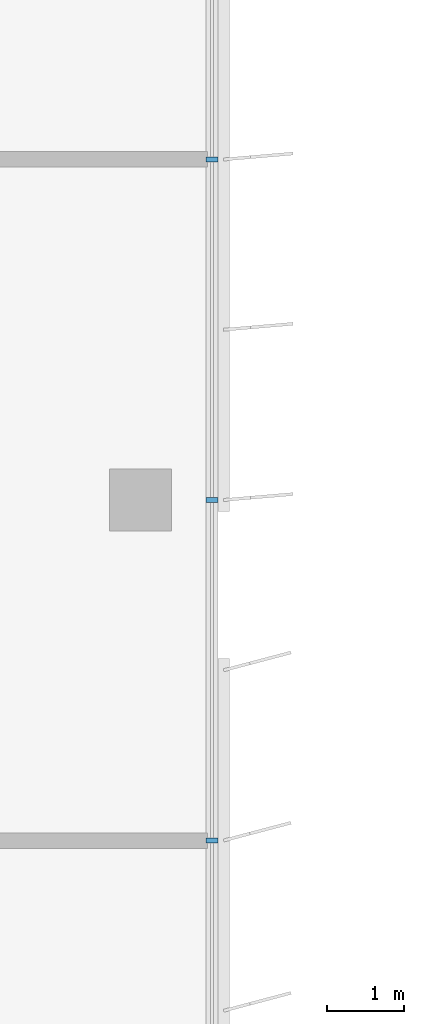
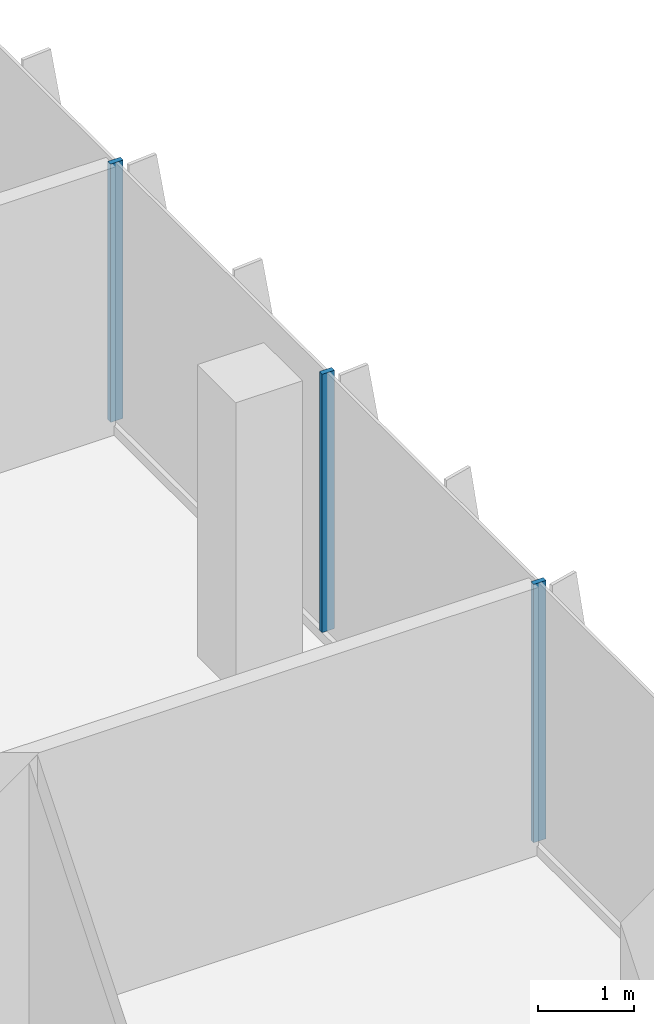
# One storey, part 4 of 15: 3 members, 1 element without a shape of its own.
"""IFC4 building model written with IfcOpenShell, lengths in metres."""

import ifcopenshell
import ifcopenshell.guid

model = None  # the IFC model being written
_history = None  # IfcOwnerHistory: only IFC2X3 demands one
_inside = {}  # id of a spatial element -> (the spatial element, [elements in it])
_under = {}  # id of a project, library or spatial element -> (it, [spatial elements below it])
_declared = {}  # id of a project -> (the project, [libraries it declares])
_typed = {}  # id of a type object -> (the type object, [elements of that type])
_made_of = {}  # id of a material, layer set ... -> (it, [elements and type objects made of it])


def new_model(schema):
    """Start an empty IFC model of exactly this schema.

    Asked for "IFC4X3", IfcOpenShell would pick the latest addendum, in which some entities
    have other attributes; the version numbers below select the first issue.
    IFC2X3 requires an IfcOwnerHistory on every rooted entity: one is made here for all.
    """
    global model, _history
    if schema == "IFC4X3":
        model = ifcopenshell.file(schema_version=(4, 3, 0, 0))
    else:
        model = ifcopenshell.file(schema=schema)
    _inside.clear()
    _under.clear()
    _declared.clear()
    _typed.clear()
    _made_of.clear()
    _history = None
    if model.schema == "IFC2X3":
        org = make("IfcOrganization", Name="unknown")
        user = make(
            "IfcPersonAndOrganization",
            ThePerson=make("IfcPerson", FamilyName="unknown"),
            TheOrganization=org,
        )
        app = make(
            "IfcApplication",
            ApplicationDeveloper=org,
            Version="unknown",
            ApplicationFullName="unknown",
            ApplicationIdentifier="unknown",
        )
        _history = make(
            "IfcOwnerHistory",
            OwningUser=user,
            OwningApplication=app,
            ChangeAction="ADDED",
            CreationDate=0,
        )
    return model


def make(cls, **values):
    """One entity of the class cls with the attributes given. An attribute that is None is left unset."""
    return model.create_entity(
        cls, **{name: value for name, value in values.items() if value is not None}
    )


def rooted(cls, **values):
    """An entity with a GlobalId (a new one), such as an element, a storey or a relation."""
    return make(cls, GlobalId=ifcopenshell.guid.new(), OwnerHistory=_history, **values)


def si_unit(unit_type, name, prefix=None):
    """IfcSIUnit, for example si_unit("LENGTHUNIT", "METRE", prefix="MILLI")."""
    return make("IfcSIUnit", UnitType=unit_type, Prefix=prefix, Name=name)


def assignment(units):
    """IfcUnitAssignment: the units of a project."""
    return None if units is None else make("IfcUnitAssignment", Units=units)


def point(xyz):
    """IfcCartesianPoint."""
    return None if xyz is None else make("IfcCartesianPoint", Coordinates=xyz)


def direction(xyz):
    """IfcDirection."""
    return None if xyz is None else make("IfcDirection", DirectionRatios=xyz)


def frame(location, z_axis=None, x_axis=None):
    """IfcAxis2Placement3D, a coordinate frame: its origin and axes. An axis left out is left unset."""
    return make(
        "IfcAxis2Placement3D",
        Location=point(location),
        Axis=direction(z_axis),
        RefDirection=direction(x_axis),
    )


def frame_2d(location, x_axis=None):
    """IfcAxis2Placement2D, a coordinate frame in the plane: its origin and x axis."""
    return make(
        "IfcAxis2Placement2D", Location=point(location), RefDirection=direction(x_axis)
    )


def origin():
    """The frame at (0, 0, 0) with its axes left unset."""
    return frame((0.0, 0.0, 0.0))


def origin_2d():
    """The frame at (0, 0) in the plane with its x axis left unset."""
    return frame_2d((0.0, 0.0))


def place(relative_to, where):
    """IfcLocalPlacement: puts the frame where relative to a parent placement (None: the world)."""
    return make(
        "IfcLocalPlacement", PlacementRelTo=relative_to, RelativePlacement=where
    )


def context(
    kind, dimensions, precision=None, world=None, true_north=None, identifier=None
):
    """IfcGeometricRepresentationContext, for example the 3D "Model" context."""
    return make(
        "IfcGeometricRepresentationContext",
        ContextIdentifier=identifier,
        ContextType=kind,
        CoordinateSpaceDimension=dimensions,
        Precision=precision,
        WorldCoordinateSystem=world,
        TrueNorth=true_north,
    )


def subcontext(parent, identifier, kind, view, scale=None):
    """IfcGeometricRepresentationSubContext, for example "Body" below "Model"."""
    return make(
        "IfcGeometricRepresentationSubContext",
        ContextIdentifier=identifier,
        ContextType=kind,
        ParentContext=parent,
        TargetScale=scale,
        TargetView=view,
    )


def project(units=None, contexts=None):
    """IfcProject with its units and contexts."""
    return rooted(
        "IfcProject",
        Name="project",
        RepresentationContexts=contexts,
        UnitsInContext=assignment(units),
    )


def spatial(cls, under=None, at=None, **own):
    """A site, building, storey or space (cls), placed at a placement, below another one or the project."""
    s = rooted(cls, ObjectPlacement=at, **own)
    if under is not None:
        _under.setdefault(under.id(), (under, []))[1].append(s)
    return s


def profile(cls, at=None, kind="AREA", **sizes):
    """A parametric profile (cls). Its sizes go by their IFC names, for example OverallWidth=200.0."""
    return make(cls, ProfileType=kind, Position=at, **sizes)


def rectangle(**sizes):
    """IfcRectangleProfileDef."""
    return profile("IfcRectangleProfileDef", **sizes)


def extrude(swept, where, along, depth):
    """IfcExtrudedAreaSolid: the profile swept, set in the frame where, extruded along a direction by depth."""
    return make(
        "IfcExtrudedAreaSolid",
        SweptArea=swept,
        Position=where,
        ExtrudedDirection=direction(along),
        Depth=depth,
    )


def shape(context_of_items, identifier, shape_type, items):
    """IfcShapeRepresentation: the items that make up one representation, for example the "Body"."""
    return make(
        "IfcShapeRepresentation",
        ContextOfItems=context_of_items,
        RepresentationIdentifier=identifier,
        RepresentationType=shape_type,
        Items=items,
    )


def source(mapping_origin, context_of_items, identifier, shape_type, items):
    """IfcRepresentationMap: a shape defined once, which mapped items show again and again."""
    return make(
        "IfcRepresentationMap",
        MappingOrigin=mapping_origin,
        MappedRepresentation=shape(context_of_items, identifier, shape_type, items),
    )


def transform(
    local_origin,
    x_axis=None,
    y_axis=None,
    z_axis=None,
    scale=None,
    scale2=None,
    scale3=None,
    uniform=True,
):
    """IfcCartesianTransformationOperator3D, or its non-uniform kind. x_axis, y_axis, z_axis: its Axis1, 2, 3."""
    if uniform:
        return make(
            "IfcCartesianTransformationOperator3D",
            Axis1=direction(x_axis),
            Axis2=direction(y_axis),
            LocalOrigin=point(local_origin),
            Scale=scale,
            Axis3=direction(z_axis),
        )
    return make(
        "IfcCartesianTransformationOperator3DnonUniform",
        Axis1=direction(x_axis),
        Axis2=direction(y_axis),
        LocalOrigin=point(local_origin),
        Scale=scale,
        Axis3=direction(z_axis),
        Scale2=scale2,
        Scale3=scale3,
    )


def mapped(mapping_source, mapping_target):
    """IfcMappedItem: shows the shape of a source again, moved by a transform."""
    return make(
        "IfcMappedItem", MappingSource=mapping_source, MappingTarget=mapping_target
    )


def material(Name=None, Category=None):
    """IfcMaterial."""
    return make("IfcMaterial", Name=Name, Category=Category)


def material_profile(
    of_material, cross_section, Name=None, Category=None, Priority=None
):
    """IfcMaterialProfile: a cross section and its material."""
    return make(
        "IfcMaterialProfile",
        Name=Name,
        Material=of_material,
        Profile=cross_section,
        Priority=Priority,
        Category=Category,
    )


def profile_set(profiles, Name=None, composite=None):
    """IfcMaterialProfileSet."""
    return make(
        "IfcMaterialProfileSet",
        Name=Name,
        MaterialProfiles=profiles,
        CompositeProfile=composite,
    )


def made_of(thing, what):
    """Note that an element or type object is made of a material, layer set ...; save() writes the relation."""
    if what is not None:
        _made_of.setdefault(what.id(), (what, []))[1].append(thing)
    return thing


def type_object(cls, material=None, **own):
    """A type object (cls), such as IfcWallType, which elements share."""
    return made_of(rooted(cls, **own), material)


def element(
    cls,
    number,
    at=None,
    inside=None,
    cuts=None,
    type_object=None,
    material=None,
    context=None,
    identifier="Body",
    shape_type=None,
    held_by="IfcProductDefinitionShape",
    body=None,
    shapes=None,
    **own,
):
    """One element of the class cls, such as IfcWall. Its Tag is "e" and its number.

    at: its placement. inside: the storey or other place that contains it. cuts: it is an
    opening in that element (IfcRelVoidsElement). A single representation is given by context,
    identifier, shape_type and body (its items); several are given by shapes. held_by: the class
    of the entity that holds the representations. save() writes the other relations.
    """
    e = rooted(cls, Tag="e%d" % number, ObjectPlacement=at, **own)
    if body is not None:
        shapes = [shape(context, identifier, shape_type, body)]
    if shapes is not None:
        e.Representation = make(held_by, Representations=shapes)
    if inside is not None:
        _inside.setdefault(inside.id(), (inside, []))[1].append(e)
    if cuts is not None:
        rooted(
            "IfcRelVoidsElement", RelatingBuildingElement=cuts, RelatedOpeningElement=e
        )
    if type_object is not None:
        _typed.setdefault(type_object.id(), (type_object, []))[1].append(e)
    return made_of(e, material)


def aggregate(whole, parts):
    """IfcRelAggregates: a whole, such as a stair, and the parts it consists of."""
    return rooted("IfcRelAggregates", RelatingObject=whole, RelatedObjects=parts)


def save(model, path):
    """Write the relations noted so far, then the file.

    IfcRelAggregates (storeys below a building ...), IfcRelContainedInSpatialStructure (elements
    in a storey), IfcRelDefinesByType, IfcRelAssociatesMaterial and IfcRelDeclares: one each for
    every whole, place, type object, material and project.
    """
    for whole, parts in _under.values():
        aggregate(whole, parts)
    for where, things in _inside.values():
        rooted(
            "IfcRelContainedInSpatialStructure",
            RelatedElements=things,
            RelatingStructure=where,
        )
    for kind, things in _typed.values():
        rooted("IfcRelDefinesByType", RelatedObjects=things, RelatingType=kind)
    for what, things in _made_of.values():
        rooted("IfcRelAssociatesMaterial", RelatedObjects=things, RelatingMaterial=what)
    for by, libraries in _declared.values():
        rooted("IfcRelDeclares", RelatingContext=by, RelatedDefinitions=libraries)
    model.write(path)


model = new_model("IFC4")

# Units and contexts
model_context = context("Model", 3, precision=1e-05, world=origin(), true_north=direction((0.0, 1.0)))
body_context = subcontext(model_context, "Body", "Model", "MODEL_VIEW")
ifc_project = project(units=[si_unit("LENGTHUNIT", "METRE"), si_unit("AREAUNIT", "SQUARE_METRE"), si_unit("VOLUMEUNIT", "CUBIC_METRE"), si_unit("PLANEANGLEUNIT", "RADIAN"), si_unit("MASSUNIT", "GRAM", prefix="KILO")], contexts=[model_context])

# Site, building, storey
site_placement = place(None, origin())
site = spatial("IfcSite", under=ifc_project, at=site_placement, CompositionType="ELEMENT")
building_placement = place(site_placement, origin())
building = spatial("IfcBuilding", under=site, at=building_placement, Name="Kemantara Hotel Tower", CompositionType="ELEMENT")
storey_placement = place(building_placement, frame((0.0, 0.0, 261.10009765625)))
storey = spatial("IfcBuildingStorey", under=building, at=storey_placement, Name="L65", CompositionType="ELEMENT", Elevation=261.10009765625)

# Curtain wall, members
ifc_material_1 = material(Name="Low-E tinted double insulated glass 36 mm", Category="glass")
curtain_wall_type = type_object("IfcCurtainWallType", Name="TOWER CURTAIN WALL, FRONT FACES", PredefinedType="USERDEFINED", material=ifc_material_1)
curtain_wall_placement = place(storey_placement, origin())
curtain_wall = element("IfcCurtainWall", 1, at=curtain_wall_placement, inside=storey, type_object=curtain_wall_type, Name="CW4 L65 T4-R15-1", ObjectType="TOWER CURTAIN WALL, FRONT FACES", PredefinedType="USERDEFINED")
ifc_material_2 = material(Name="Aluminium 6063-T6 bronze anodised", Category="aluminium")
ifc_material_profile = material_profile(ifc_material_2, rectangle(XDim=0.14990234375, YDim=0.06005859375, at=origin_2d()), Name="TOWER CURTAIN WALL, FRONT FACES MULLION")
ifc_profile_set = profile_set([ifc_material_profile], Name="Aluminium 6063-T6 bronze anodised")
member_type = type_object("IfcMemberType", Name="TOWER CURTAIN WALL, FRONT FACES MULLION", PredefinedType="MULLION", material=ifc_profile_set)
shared_shape = source(origin(), body_context, "Body", "SweptSolid", [
    extrude(rectangle(XDim=0.14990234375, YDim=0.06005859375, at=origin_2d()), origin(), (0.0, 0.0, 1.0), 3.280029296875),
])
member_1_placement = place(storey_placement, frame((21.925048828125, 31.800048828125, 0.119873046875), z_axis=(0.0, 0.0, 1.0), x_axis=(-1.0, 0.0, 0.0)))
member_1 = element("IfcMember", 2, at=member_1_placement, type_object=member_type, Name="CW4 mullion T4-R15-1.3", PredefinedType="MULLION", context=body_context, shape_type="MappedRepresentation", body=[
    mapped(shared_shape, transform((0.0, 0.0, 0.0))),
])
member_2_placement = place(storey_placement, frame((21.925048828125, 36.199951171875, 0.119873046875), z_axis=(0.0, 0.0, 1.0), x_axis=(-1.0, 0.0, 0.0)))
member_2 = element("IfcMember", 3, at=member_2_placement, type_object=member_type, Name="CW4 mullion T4-R15-1.4", PredefinedType="MULLION", context=body_context, shape_type="MappedRepresentation", body=[
    mapped(shared_shape, transform((0.0, 0.0, 0.0))),
])
member_3_placement = place(storey_placement, frame((21.925048828125, 40.60009765625, 0.119873046875), z_axis=(0.0, 0.0, 1.0), x_axis=(-1.0, 0.0, 0.0)))
member_3 = element("IfcMember", 4, at=member_3_placement, type_object=member_type, Name="CW4 mullion T4-R15-1.5", PredefinedType="MULLION", context=body_context, shape_type="MappedRepresentation", body=[
    mapped(shared_shape, transform((0.0, 0.0, 0.0))),
])
aggregate(curtain_wall, [member_1, member_2, member_3])

save(model, "model.ifc")
